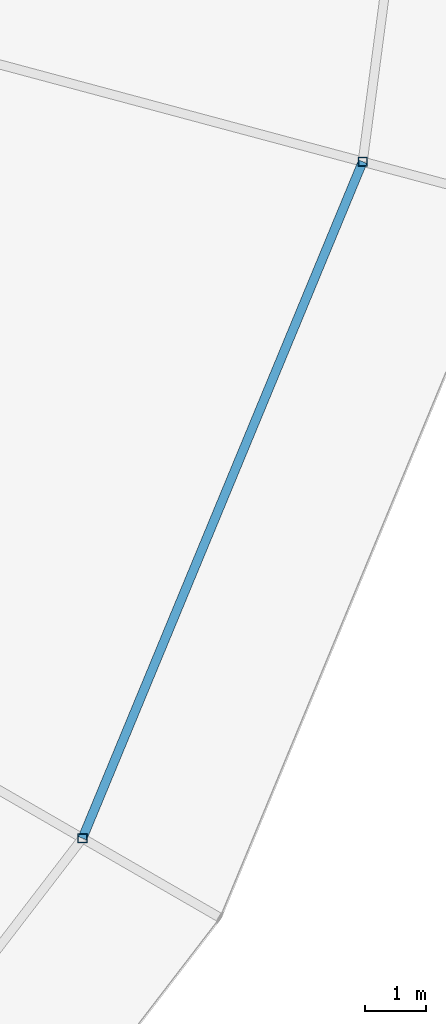
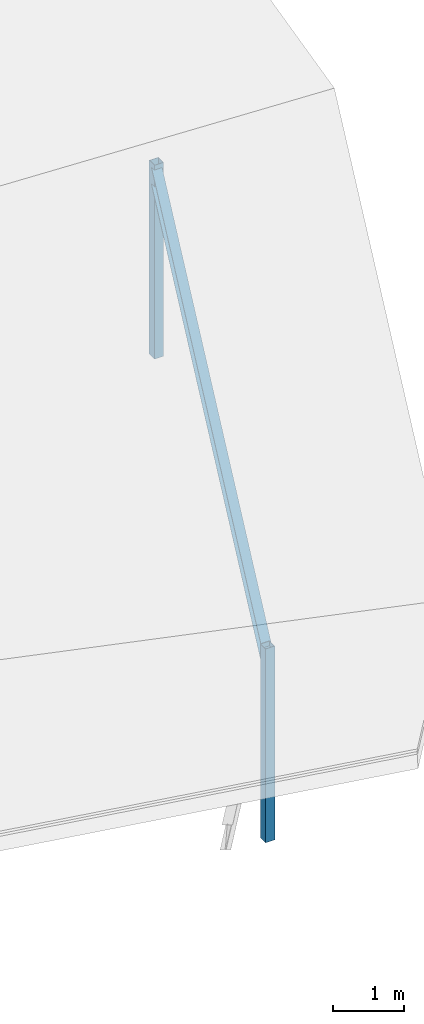
# One storey, part 112 of 200: 2 members, 1 beam.
"""IFC4 building model written with IfcOpenShell, lengths in metres."""

from ifc_helpers import new_model, si_unit, direction, frame, origin, origin_2d, place, context, subcontext, project, spatial, hollow_rectangle, i_section, extrude, material, material_profile, profile_set, type_object, element, save


model = new_model("IFC4")

# Units and contexts
model_context = context("Model", 3, precision=1e-05, world=origin(), true_north=direction((0.0, 1.0)))
body_context = subcontext(model_context, "Body", "Model", "MODEL_VIEW")
ifc_project = project(units=[si_unit("LENGTHUNIT", "METRE"), si_unit("AREAUNIT", "SQUARE_METRE"), si_unit("VOLUMEUNIT", "CUBIC_METRE"), si_unit("PLANEANGLEUNIT", "RADIAN"), si_unit("MASSUNIT", "GRAM", prefix="KILO")], contexts=[model_context])

# Site, building, storey
site_placement = place(None, origin())
site = spatial("IfcSite", under=ifc_project, at=site_placement, CompositionType="ELEMENT")
building_placement = place(site_placement, origin())
building = spatial("IfcBuilding", under=site, at=building_placement, Name="Vondelvale Polytechnic", CompositionType="ELEMENT")
storey_placement = place(building_placement, frame((0.0, 0.0, 13.800048828125)))
storey = spatial("IfcBuildingStorey", under=building, at=storey_placement, Name="L03", CompositionType="ELEMENT", Elevation=13.800048828125)

# Beam
ifc_material_1 = material(Name="Steel 300PLUS (fy = 300 MPa)", Category="steel")
ifc_material_profile_1 = material_profile(ifc_material_1, i_section(OverallWidth=0.14892578125, OverallDepth=0.298095703125, WebThickness=0.005615234375, FlangeThickness=0.008056640625, FilletRadius=0.011474609375, at=origin_2d()), Name="310UB32.0")
ifc_profile_set_1 = profile_set([ifc_material_profile_1], Name="Steel 300PLUS (fy = 300 MPa)")
beam_type = type_object("IfcBeamType", Name="BM-UB310L", PredefinedType="BEAM", material=ifc_profile_set_1)
beam_placement = place(storey_placement, frame((141.837158203125, 49.0, 3.11083984375), z_axis=(0.382688765072, 0.923877323614, 0.0), x_axis=(-0.923877323614, 0.382688765072, 0.0)))
element("IfcBeam", 1, at=beam_placement, inside=storey, type_object=beam_type, Name="L03 RE B-25", PredefinedType="BEAM", context=body_context, shape_type="SweptSolid", body=[
    extrude(i_section(OverallWidth=0.14892578125, OverallDepth=0.298095703125, WebThickness=0.005615234375, FlangeThickness=0.008056640625, FilletRadius=0.011474609375, at=origin_2d()), origin(), (0.0, 0.0, 1.0), 12.00830078125),
])

# Members
ifc_material_2 = material(Name="Steel C350L0 (fy = 350 MPa)", Category="steel")
ifc_material_profile_2 = material_profile(ifc_material_2, hollow_rectangle(XDim=0.14990234375, YDim=0.14990234375, WallThickness=0.006103515625, at=origin_2d()), Name="150x150x6.0SHS")
ifc_profile_set_2 = profile_set([ifc_material_profile_2], Name="Steel C350L0 (fy = 350 MPa)")
member_type = type_object("IfcMemberType", Name="ROOF TRUSS POST 150SHS", PredefinedType="POST", material=ifc_profile_set_2)
for number, where, z_axis, x_axis, name in (
    (2, (141.837158203125, 49.0, 0.0), (0.0, 0.0, 1.0), (1.0, 0.0, 0.0), "Ring outer roof post 22"),
    (3, (146.4326171875, 60.09423828125, 0.0), (0.0, 0.0, 1.0), (1.0, 0.0, 0.0), "Ring outer roof post 23"),
):
    element("IfcMember", number, at=place(storey_placement, frame(where, z_axis=z_axis, x_axis=x_axis)), inside=storey, type_object=member_type, Name=name, PredefinedType="POST", context=body_context, shape_type="SweptSolid", body=[
        extrude(hollow_rectangle(XDim=0.14990234375, YDim=0.14990234375, WallThickness=0.006103515625, at=origin_2d()), origin(), (0.0, 0.0, 1.0), 3.33984375),
    ])

save(model, "model.ifc")
